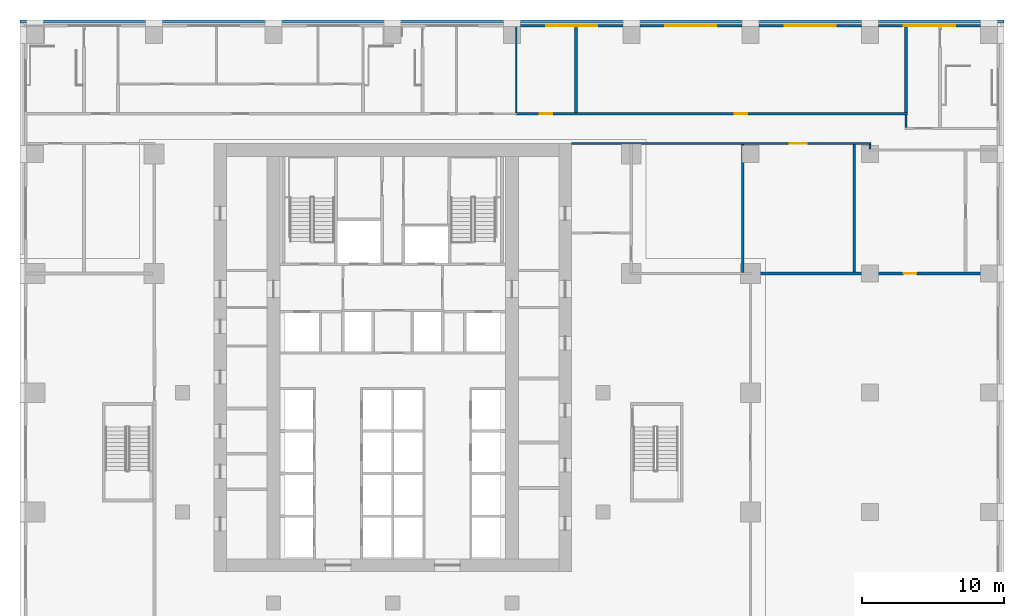
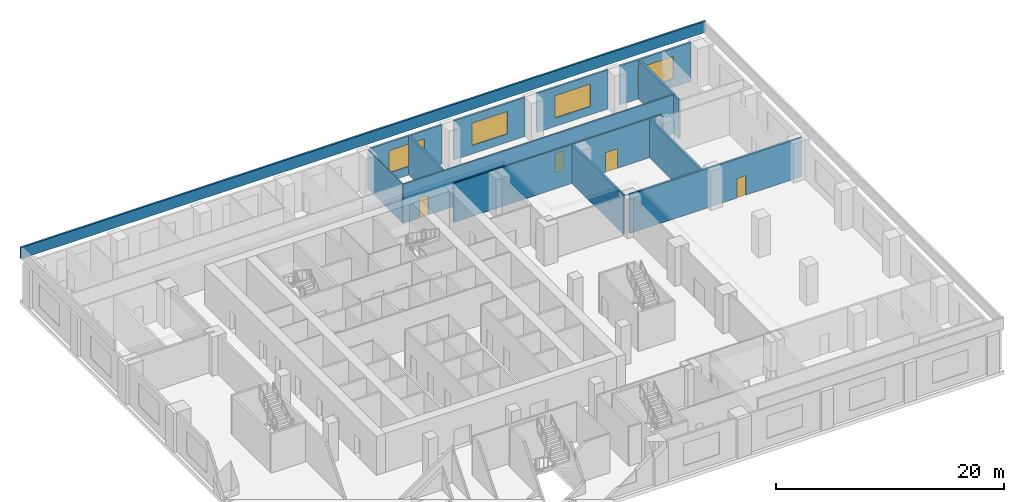
# One storey, part 8 of 16: 15 walls, 4 doors, 4 windows, 8 openings.
"""IFC4 building model written with IfcOpenShell, lengths in metres."""

from ifc_helpers import new_model, si_unit, direction, frame, frame_2d, origin, place, context, subcontext, project, spatial, rectangle, extrude, material, layer, layer_set, type_object, element, fill, save


model = new_model("IFC4")

# Units and contexts
model_context = context("Model", 3, precision=1e-05, world=origin(), true_north=direction((0.0, 1.0)))
body_context = subcontext(model_context, "Body", "Model", "MODEL_VIEW")
ifc_project = project(units=[si_unit("LENGTHUNIT", "METRE"), si_unit("AREAUNIT", "SQUARE_METRE"), si_unit("VOLUMEUNIT", "CUBIC_METRE"), si_unit("PLANEANGLEUNIT", "RADIAN"), si_unit("MASSUNIT", "GRAM", prefix="KILO")], contexts=[model_context])

# Site, building, storey
site_placement = place(None, origin())
site = spatial("IfcSite", under=ifc_project, at=site_placement, CompositionType="ELEMENT")
building_placement = place(site_placement, origin())
building = spatial("IfcBuilding", under=site, at=building_placement, Name="Vermilion Ogive Tower", CompositionType="ELEMENT")
storey_placement = place(building_placement, frame((0.0, 0.0, 30.0)))
storey = spatial("IfcBuildingStorey", under=building, at=storey_placement, Name="L05", CompositionType="ELEMENT", Elevation=30.0)

# Wall
ifc_material_1 = material(Name="Gypsum board partition on steel studs", Category="steel")
ifc_layer_1 = layer(ifc_material_1, 0.10009765625)
ifc_layer_set_1 = layer_set([ifc_layer_1], Name="Partition 100 bath")
wall_type_1 = type_object("IfcWallType", Name="Partition 100 bath", PredefinedType="PARTITIONING", material=ifc_layer_set_1)
wall_1_placement = place(storey_placement, frame((8.699951171875, 23.925048828125, 0.0), z_axis=(0.0, 0.0, 1.0), x_axis=(0.0, 1.0, 0.0)))
element("IfcWall", 1, at=wall_1_placement, inside=storey, type_object=wall_type_1, Name="L05-FS-W-W043", PredefinedType="PARTITIONING", context=body_context, shape_type="SweptSolid", body=[
    extrude(rectangle(XDim=6.02490234375, YDim=0.10009765625, at=frame_2d((3.012451171875, 0.0))), origin(), (0.0, 0.0, 1.0), 4.179931640625),
])

# Wall, opening, door
ifc_material_2 = material(Name="Gypsum board partition on steel studs", Category="steel")
ifc_layer_2 = layer(ifc_material_2, 0.14990234375)
ifc_layer_set_2 = layer_set([ifc_layer_2], Name="Partition 150 corridor")
wall_type_2 = type_object("IfcWallType", Name="Partition 150 corridor", PredefinedType="PARTITIONING", material=ifc_layer_set_2)
wall_2_placement = place(storey_placement, frame((12.60107421875, 21.75, 0.0), z_axis=(0.0, 0.0, 1.0), x_axis=(1.0, 0.0, 0.0)))
wall_2 = element("IfcWall", 2, at=wall_2_placement, inside=storey, type_object=wall_type_2, Name="L05-FS-W-W020", PredefinedType="PARTITIONING", context=body_context, shape_type="SweptSolid", body=[
    extrude(rectangle(XDim=21.073974609375, YDim=0.14990234375, at=frame_2d((10.537109375, 0.0))), origin(), (0.0, 0.0, 1.0), 4.179931640625),
])
opening_1_placement = place(wall_2_placement, frame((15.3740234375, 0.0, 0.0)))
opening_1 = element("IfcOpeningElement", 3, at=opening_1_placement, cuts=wall_2, Name="Opening L05S023", PredefinedType="OPENING", context=body_context, shape_type="SweptSolid", body=[
    extrude(rectangle(XDim=1.199951171875, YDim=2.10009765625, at=frame_2d((0.60009765625, 1.050048828125))), frame((0.0, 0.0849609375, 0.0), z_axis=(0.0, -1.0, 0.0), x_axis=(1.0, 0.0, 0.0)), (0.0, 0.0, 1.0), 0.169921875),
])
ifc_material_3 = material(Name="Timber door leaf", Category="wood")
door_type_1 = type_object("IfcDoorType", Name="Room door 1200 x 2100 FD30", OperationType="SINGLE_SWING_LEFT", PredefinedType="DOOR", material=ifc_material_3)
door_1_placement = place(opening_1_placement, origin())
door_1 = element("IfcDoor", 4, at=door_1_placement, inside=storey, type_object=door_type_1, Name="L05-FS-D-D023", OperationType="SINGLE_SWING_RIGHT", OverallHeight=2.10009765625, OverallWidth=1.199951171875, PredefinedType="DOOR", context=body_context, shape_type="SweptSolid", body=[
    extrude(rectangle(XDim=1.199951171875, YDim=2.10009765625, at=frame_2d((0.60009765625, 1.050048828125))), frame((0.0, 0.02490234375, 0.0), z_axis=(0.0, -1.0, 0.0), x_axis=(1.0, 0.0, 0.0)), (0.0, 0.0, 1.0), 0.050048828125),
])
fill(opening_1, door_1)

# Wall, openings, doors
wall_3_placement = place(storey_placement, frame((8.64990234375, 23.85009765625, 0.0), z_axis=(0.0, 0.0, 1.0), x_axis=(1.0, 0.0, 0.0)))
wall_3 = element("IfcWall", 5, at=wall_3_placement, inside=storey, type_object=wall_type_2, Name="L05-FS-W-W024", PredefinedType="PARTITIONING", context=body_context, shape_type="SweptSolid", body=[
    extrude(rectangle(XDim=27.60009765625, YDim=0.14990234375, at=frame_2d((13.800048828125, 0.0))), origin(), (0.0, 0.0, 1.0), 4.179931640625),
])
opening_2_placement = place(wall_3_placement, frame((1.7001953125, 0.0, 0.0)))
opening_2 = element("IfcOpeningElement", 6, at=opening_2_placement, cuts=wall_3, Name="Opening L05S029", PredefinedType="OPENING", context=body_context, shape_type="SweptSolid", body=[
    extrude(rectangle(XDim=0.89990234375, YDim=2.10009765625, at=frame_2d((0.449951171875, 1.050048828125))), frame((0.0, 0.0849609375, 0.0), z_axis=(0.0, -1.0, 0.0), x_axis=(1.0, 0.0, 0.0)), (0.0, 0.0, 1.0), 0.169921875),
])
opening_3_placement = place(wall_3_placement, frame((15.425048828125, 0.0, 0.0)))
opening_3 = element("IfcOpeningElement", 7, at=opening_3_placement, cuts=wall_3, Name="Opening L05S030", PredefinedType="OPENING", context=body_context, shape_type="SweptSolid", body=[
    extrude(rectangle(XDim=0.89990234375, YDim=2.10009765625, at=frame_2d((0.449951171875, 1.050048828125))), frame((0.0, 0.0849609375, 0.0), z_axis=(0.0, -1.0, 0.0), x_axis=(1.0, 0.0, 0.0)), (0.0, 0.0, 1.0), 0.169921875),
])
ifc_material_4 = material(Name="Timber door leaf", Category="wood")
door_type_2 = type_object("IfcDoorType", Name="Room door 900 x 2100 FD30", OperationType="SINGLE_SWING_LEFT", PredefinedType="DOOR", material=ifc_material_4)
door_2_placement = place(opening_2_placement, origin())
door_2 = element("IfcDoor", 8, at=door_2_placement, inside=storey, type_object=door_type_2, Name="L05-FS-D-D029", OperationType="SINGLE_SWING_RIGHT", OverallHeight=2.10009765625, OverallWidth=0.89990234375, PredefinedType="DOOR", context=body_context, shape_type="SweptSolid", body=[
    extrude(rectangle(XDim=0.89990234375, YDim=2.10009765625, at=frame_2d((0.449951171875, 1.050048828125))), frame((0.0, 0.02490234375, 0.0), z_axis=(0.0, -1.0, 0.0), x_axis=(1.0, 0.0, 0.0)), (0.0, 0.0, 1.0), 0.050048828125),
])
fill(opening_2, door_2)
door_3_placement = place(opening_3_placement, origin())
door_3 = element("IfcDoor", 9, at=door_3_placement, inside=storey, type_object=door_type_2, Name="L05-FS-D-D030", OperationType="SINGLE_SWING_LEFT", OverallHeight=2.10009765625, OverallWidth=0.89990234375, PredefinedType="DOOR", context=body_context, shape_type="SweptSolid", body=[
    extrude(rectangle(XDim=0.89990234375, YDim=2.10009765625, at=frame_2d((0.449951171875, 1.050048828125))), frame((0.0, 0.02490234375, 0.0), z_axis=(0.0, -1.0, 0.0), x_axis=(1.0, 0.0, 0.0)), (0.0, 0.0, 1.0), 0.050048828125),
])
fill(opening_3, door_3)

# Walls
wall_4_placement = place(storey_placement, frame((33.60009765625, 21.375, 0.0), z_axis=(0.0, 0.0, 1.0), x_axis=(0.0, 1.0, 0.0)))
element("IfcWall", 10, at=wall_4_placement, inside=storey, type_object=wall_type_2, Name="L05-FS-W-W054", PredefinedType="PARTITIONING", context=body_context, shape_type="SweptSolid", body=[
    extrude(rectangle(XDim=0.300048828125, YDim=0.14990234375, at=frame_2d((0.14990234375, 0.0))), origin(), (0.0, 0.0, 1.0), 4.179931640625),
])
wall_5_placement = place(storey_placement, frame((36.14990234375, 22.875, 0.0), z_axis=(0.0, 0.0, 1.0), x_axis=(0.0, 1.0, 0.0)))
element("IfcWall", 11, at=wall_5_placement, inside=storey, type_object=wall_type_2, Name="L05-FS-W-W057", PredefinedType="PARTITIONING", context=body_context, shape_type="SweptSolid", body=[
    extrude(rectangle(XDim=0.89990234375, YDim=0.14990234375, at=frame_2d((0.449951171875, 0.0))), origin(), (0.0, 0.0, 1.0), 4.179931640625),
])

# Wall, opening, door
ifc_material_5 = material(Name="Gypsum board partition on steel studs", Category="steel")
ifc_layer_3 = layer(ifc_material_5, 0.199951171875)
ifc_layer_set_3 = layer_set([ifc_layer_3], Name="Partition 200 party")
wall_type_3 = type_object("IfcWallType", Name="Partition 200 party", PredefinedType="PARTITIONING", material=ifc_layer_set_3)
wall_6_placement = place(storey_placement, frame((25.125, 12.60009765625, 0.0), z_axis=(0.0, 0.0, 1.0), x_axis=(1.0, 0.0, 0.0)))
wall_6 = element("IfcWall", 12, at=wall_6_placement, inside=storey, type_object=wall_type_3, Name="L05-FS-W-W016", PredefinedType="PARTITIONING", context=body_context, shape_type="SweptSolid", body=[
    extrude(rectangle(XDim=17.425048828125, YDim=0.199951171875, at=frame_2d((8.71240234375, 0.0))), origin(), (0.0, 0.0, 1.0), 4.179931640625),
])
opening_4_placement = place(wall_6_placement, frame((10.85009765625, 0.0, 0.0)))
opening_4 = element("IfcOpeningElement", 13, at=opening_4_placement, cuts=wall_6, Name="Opening L05S024", PredefinedType="OPENING", context=body_context, shape_type="SweptSolid", body=[
    extrude(rectangle(XDim=0.89990234375, YDim=2.10009765625, at=frame_2d((0.449951171875, 1.050048828125))), frame((0.0, 0.10986328125, 0.0), z_axis=(0.0, -1.0, 0.0), x_axis=(1.0, 0.0, 0.0)), (0.0, 0.0, 1.0), 0.219970703125),
])
door_4_placement = place(opening_4_placement, origin())
door_4 = element("IfcDoor", 14, at=door_4_placement, inside=storey, type_object=door_type_2, Name="L05-FS-D-D024", OperationType="SINGLE_SWING_RIGHT", OverallHeight=2.10009765625, OverallWidth=0.89990234375, PredefinedType="DOOR", context=body_context, shape_type="SweptSolid", body=[
    extrude(rectangle(XDim=0.89990234375, YDim=2.10009765625, at=frame_2d((0.449951171875, 1.050048828125))), frame((0.0, 0.02490234375, 0.0), z_axis=(0.0, -1.0, 0.0), x_axis=(1.0, 0.0, 0.0)), (0.0, 0.0, 1.0), 0.050048828125),
])
fill(opening_4, door_4)

# Walls
wall_7_placement = place(storey_placement, frame((12.89990234375, 23.925048828125, 0.0), z_axis=(0.0, 0.0, 1.0), x_axis=(0.0, 1.0, 0.0)))
element("IfcWall", 15, at=wall_7_placement, inside=storey, type_object=wall_type_3, Name="L05-FS-W-W044", PredefinedType="PARTITIONING", context=body_context, shape_type="SweptSolid", body=[
    extrude(rectangle(XDim=6.02490234375, YDim=0.199951171875, at=frame_2d((3.012451171875, 0.0))), origin(), (0.0, 0.0, 1.0), 4.179931640625),
])
wall_8_placement = place(storey_placement, frame((24.64990234375, 12.675048828125, 0.0), z_axis=(0.0, 0.0, 1.0), x_axis=(0.0, 1.0, 0.0)))
element("IfcWall", 16, at=wall_8_placement, inside=storey, type_object=wall_type_3, Name="L05-FS-W-W050", PredefinedType="PARTITIONING", context=body_context, shape_type="SweptSolid", body=[
    extrude(rectangle(XDim=9.0, YDim=0.199951171875, at=frame_2d((4.5, 0.0))), origin(), (0.0, 0.0, 1.0), 4.179931640625),
])
wall_9_placement = place(storey_placement, frame((32.5, 12.699951171875, 0.0), z_axis=(0.0, 0.0, 1.0), x_axis=(0.0, 1.0, 0.0)))
element("IfcWall", 17, at=wall_9_placement, inside=storey, type_object=wall_type_3, Name="L05-FS-W-W053", PredefinedType="PARTITIONING", context=body_context, shape_type="SweptSolid", body=[
    extrude(rectangle(XDim=8.97509765625, YDim=0.199951171875, at=frame_2d((4.487548828125, 0.0))), origin(), (0.0, 0.0, 1.0), 4.179931640625),
])
wall_10_placement = place(storey_placement, frame((36.14990234375, 23.925048828125, 0.0), z_axis=(0.0, 0.0, 1.0), x_axis=(0.0, 1.0, 0.0)))
element("IfcWall", 18, at=wall_10_placement, inside=storey, type_object=wall_type_3, Name="L05-FS-W-W058", PredefinedType="PARTITIONING", context=body_context, shape_type="SweptSolid", body=[
    extrude(rectangle(XDim=6.02490234375, YDim=0.199951171875, at=frame_2d((3.012451171875, 0.0))), origin(), (0.0, 0.0, 1.0), 4.179931640625),
])
ifc_material_6 = material(Name="Concrete B45", Category="concrete")
ifc_layer_4 = layer(ifc_material_6, 0.199951171875)
ifc_layer_set_4 = layer_set([ifc_layer_4], Name="Terrace parapet RC Concrete B45")
wall_type_4 = type_object("IfcWallType", Name="Terrace parapet RC Concrete B45", PredefinedType="PARAPET", material=ifc_layer_set_4)
wall_11_placement = place(storey_placement, frame((-26.25, 30.35009765625, 4.5), z_axis=(0.0, 0.0, 1.0), x_axis=(1.0, 0.0, 0.0)))
element("IfcWall", 19, at=wall_11_placement, inside=storey, type_object=wall_type_4, Name="L05 terrace parapet 2", PredefinedType="PARAPET", context=body_context, shape_type="SweptSolid", body=[
    extrude(rectangle(XDim=69.300048828125, YDim=0.199951171875, at=frame_2d((34.64990234375, 0.0))), origin(), (0.0, 0.0, 1.0), 1.199951171875),
])

# Wall, opening, window
ifc_material_7 = material(Name="Aluminium window wall framing", Category="aluminium")
ifc_layer_5 = layer(ifc_material_7, 0.199951171875)
ifc_layer_set_5 = layer_set([ifc_layer_5], Name="Window wall")
wall_type_5 = type_object("IfcWallType", Name="Window wall", PredefinedType="STANDARD", material=ifc_layer_set_5)
wall_12_placement = place(storey_placement, frame((41.39990234375, 30.050048828125, 0.0), z_axis=(0.0, 0.0, 1.0), x_axis=(-1.0, 0.0, 0.0)))
wall_12 = element("IfcWall", 20, at=wall_12_placement, inside=storey, type_object=wall_type_5, Name="Window wall N1", PredefinedType="STANDARD", context=body_context, shape_type="SweptSolid", body=[
    extrude(rectangle(XDim=7.199951171875, YDim=0.199951171875, at=frame_2d((3.60009765625, 0.0))), origin(), (0.0, 0.0, 1.0), 4.179931640625),
])
opening_5_placement = place(wall_12_placement, frame((1.800048828125, 0.0, 0.89990234375)))
opening_5 = element("IfcOpeningElement", 21, at=opening_5_placement, cuts=wall_12, Name="Opening P-N1", PredefinedType="OPENING", context=body_context, shape_type="SweptSolid", body=[
    extrude(rectangle(XDim=3.60009765625, YDim=2.39990234375, at=frame_2d((1.800048828125, 1.199951171875))), frame((0.0, 0.10986328125, 0.0), z_axis=(0.0, -1.0, 0.0), x_axis=(1.0, 0.0, 0.0)), (0.0, 0.0, 1.0), 0.219970703125),
])
ifc_material_8 = material(Name="Aluminium framed double glazing", Category="aluminium")
window_type = type_object("IfcWindowType", Name="Podium window P 3600x2400 sill 900", PartitioningType="SINGLE_PANEL", PredefinedType="WINDOW", material=ifc_material_8)
window_1_placement = place(opening_5_placement, origin())
window_1 = element("IfcWindow", 22, at=window_1_placement, inside=storey, type_object=window_type, Name="Window N1", OverallHeight=2.39990234375, OverallWidth=3.60009765625, PartitioningType="SINGLE_PANEL", PredefinedType="WINDOW", context=body_context, shape_type="SweptSolid", body=[
    extrude(rectangle(XDim=3.60009765625, YDim=2.39990234375, at=frame_2d((1.800048828125, 1.199951171875))), frame((0.0, 0.030029296875, 0.0), z_axis=(0.0, -1.0, 0.0), x_axis=(1.0, 0.0, 0.0)), (0.0, 0.0, 1.0), 0.06005859375),
])
fill(opening_5, window_1)

wall_13_placement = place(storey_placement, frame((33.0, 30.050048828125, 0.0), z_axis=(0.0, 0.0, 1.0), x_axis=(-1.0, 0.0, 0.0)))
wall_13 = element("IfcWall", 23, at=wall_13_placement, inside=storey, type_object=wall_type_5, Name="Window wall N2", PredefinedType="STANDARD", context=body_context, shape_type="SweptSolid", body=[
    extrude(rectangle(XDim=7.199951171875, YDim=0.199951171875, at=frame_2d((3.60009765625, 0.0))), origin(), (0.0, 0.0, 1.0), 4.179931640625),
])
opening_6_placement = place(wall_13_placement, frame((1.800048828125, 0.0, 0.89990234375)))
opening_6 = element("IfcOpeningElement", 24, at=opening_6_placement, cuts=wall_13, Name="Opening P-N2", PredefinedType="OPENING", context=body_context, shape_type="SweptSolid", body=[
    extrude(rectangle(XDim=3.60009765625, YDim=2.39990234375, at=frame_2d((1.800048828125, 1.199951171875))), frame((0.0, 0.10986328125, 0.0), z_axis=(0.0, -1.0, 0.0), x_axis=(1.0, 0.0, 0.0)), (0.0, 0.0, 1.0), 0.219970703125),
])
window_2_placement = place(opening_6_placement, origin())
window_2 = element("IfcWindow", 25, at=window_2_placement, inside=storey, type_object=window_type, Name="Window N2", OverallHeight=2.39990234375, OverallWidth=3.60009765625, PartitioningType="SINGLE_PANEL", PredefinedType="WINDOW", context=body_context, shape_type="SweptSolid", body=[
    extrude(rectangle(XDim=3.60009765625, YDim=2.39990234375, at=frame_2d((1.800048828125, 1.199951171875))), frame((0.0, 0.030029296875, 0.0), z_axis=(0.0, -1.0, 0.0), x_axis=(1.0, 0.0, 0.0)), (0.0, 0.0, 1.0), 0.06005859375),
])
fill(opening_6, window_2)

wall_14_placement = place(storey_placement, frame((24.60009765625, 30.050048828125, 0.0), z_axis=(0.0, 0.0, 1.0), x_axis=(-1.0, 0.0, 0.0)))
wall_14 = element("IfcWall", 26, at=wall_14_placement, inside=storey, type_object=wall_type_5, Name="Window wall N3", PredefinedType="STANDARD", context=body_context, shape_type="SweptSolid", body=[
    extrude(rectangle(XDim=7.2001953125, YDim=0.199951171875, at=frame_2d((3.60009765625, 0.0))), origin(), (0.0, 0.0, 1.0), 4.179931640625),
])
opening_7_placement = place(wall_14_placement, frame((1.800048828125, 0.0, 0.89990234375)))
opening_7 = element("IfcOpeningElement", 27, at=opening_7_placement, cuts=wall_14, Name="Opening P-N3", PredefinedType="OPENING", context=body_context, shape_type="SweptSolid", body=[
    extrude(rectangle(XDim=3.60009765625, YDim=2.39990234375, at=frame_2d((1.800048828125, 1.199951171875))), frame((0.0, 0.10986328125, 0.0), z_axis=(0.0, -1.0, 0.0), x_axis=(1.0, 0.0, 0.0)), (0.0, 0.0, 1.0), 0.219970703125),
])
window_3_placement = place(opening_7_placement, origin())
window_3 = element("IfcWindow", 28, at=window_3_placement, inside=storey, type_object=window_type, Name="Window N3", OverallHeight=2.39990234375, OverallWidth=3.60009765625, PartitioningType="SINGLE_PANEL", PredefinedType="WINDOW", context=body_context, shape_type="SweptSolid", body=[
    extrude(rectangle(XDim=3.60009765625, YDim=2.39990234375, at=frame_2d((1.800048828125, 1.199951171875))), frame((0.0, 0.030029296875, 0.0), z_axis=(0.0, -1.0, 0.0), x_axis=(1.0, 0.0, 0.0)), (0.0, 0.0, 1.0), 0.06005859375),
])
fill(opening_7, window_3)

wall_15_placement = place(storey_placement, frame((16.199951171875, 30.050048828125, 0.0), z_axis=(0.0, 0.0, 1.0), x_axis=(-1.0, 0.0, 0.0)))
wall_15 = element("IfcWall", 29, at=wall_15_placement, inside=storey, type_object=wall_type_5, Name="Window wall N4", PredefinedType="STANDARD", context=body_context, shape_type="SweptSolid", body=[
    extrude(rectangle(XDim=7.199951171875, YDim=0.199951171875, at=frame_2d((3.60009765625, 0.0))), origin(), (0.0, 0.0, 1.0), 4.179931640625),
])
opening_8_placement = place(wall_15_placement, frame((1.800048828125, 0.0, 0.89990234375)))
opening_8 = element("IfcOpeningElement", 30, at=opening_8_placement, cuts=wall_15, Name="Opening P-N4", PredefinedType="OPENING", context=body_context, shape_type="SweptSolid", body=[
    extrude(rectangle(XDim=3.60009765625, YDim=2.39990234375, at=frame_2d((1.800048828125, 1.199951171875))), frame((0.0, 0.10986328125, 0.0), z_axis=(0.0, -1.0, 0.0), x_axis=(1.0, 0.0, 0.0)), (0.0, 0.0, 1.0), 0.219970703125),
])
window_4_placement = place(opening_8_placement, origin())
window_4 = element("IfcWindow", 31, at=window_4_placement, inside=storey, type_object=window_type, Name="Window N4", OverallHeight=2.39990234375, OverallWidth=3.60009765625, PartitioningType="SINGLE_PANEL", PredefinedType="WINDOW", context=body_context, shape_type="SweptSolid", body=[
    extrude(rectangle(XDim=3.60009765625, YDim=2.39990234375, at=frame_2d((1.800048828125, 1.199951171875))), frame((0.0, 0.030029296875, 0.0), z_axis=(0.0, -1.0, 0.0), x_axis=(1.0, 0.0, 0.0)), (0.0, 0.0, 1.0), 0.06005859375),
])
fill(opening_8, window_4)

save(model, "model.ifc")
